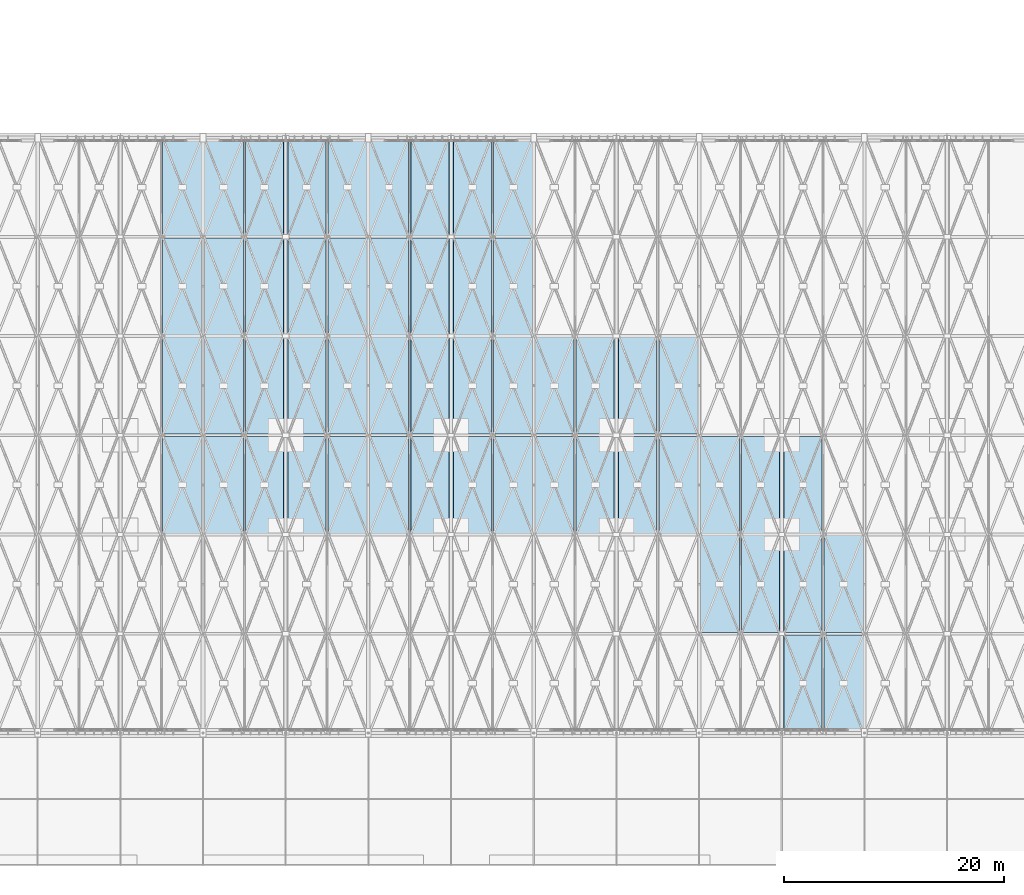
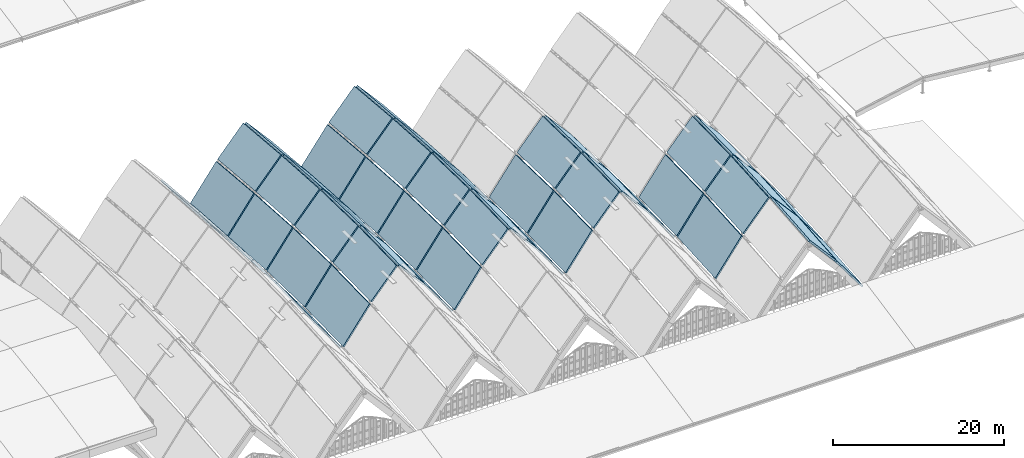
# One storey, part 60 of 93: 53 slabs, 1 element without a shape of its own.
"""IFC4 building model written with IfcOpenShell, lengths in metres."""

from ifc_helpers import new_model, si_unit, direction, frame, origin, place, context, subcontext, project, spatial, polyline, outline, extrude, material, layer, layer_set, type_object, element, aggregate, save


model = new_model("IFC4")

# Units and contexts
model_context = context("Model", 3, precision=1e-05, world=origin(), true_north=direction((0.0, 1.0)))
body_context = subcontext(model_context, "Body", "Model", "MODEL_VIEW")
ifc_project = project(units=[si_unit("LENGTHUNIT", "METRE"), si_unit("AREAUNIT", "SQUARE_METRE"), si_unit("VOLUMEUNIT", "CUBIC_METRE"), si_unit("PLANEANGLEUNIT", "RADIAN"), si_unit("MASSUNIT", "GRAM", prefix="KILO")], contexts=[model_context])

# Site, building, storey
site_placement = place(None, origin())
site = spatial("IfcSite", under=ifc_project, at=site_placement, CompositionType="ELEMENT")
building_placement = place(site_placement, origin())
building = spatial("IfcBuilding", under=site, at=building_placement, Name="Vourika Railside Aquatics Centre", CompositionType="ELEMENT")
storey_placement = place(building_placement, frame((0.0, 0.0, 21.89990234375)))
storey = spatial("IfcBuildingStorey", under=building, at=storey_placement, Name="Roof", CompositionType="ELEMENT", Elevation=21.89990234375)

# Roof, slabs
ifc_material_1 = material(Name="Glulam GL32h", Category="wood")
ifc_layer_1 = layer(ifc_material_1, 0.239990234375, Name="ROOF-VAULT-SYS")
ifc_layer_set_1 = layer_set([ifc_layer_1], Name="Glulam GL32h")
roof_type = type_object("IfcRoofType", Name="ROOF-VAULT-SYS", PredefinedType="BARREL_ROOF", material=ifc_layer_set_1)
roof_placement = place(storey_placement, origin())
roof = element("IfcRoof", 1, at=roof_placement, inside=storey, type_object=roof_type, Name="Pointed Glulam Gridshell Vault Roof Assembly", PredefinedType="BARREL_ROOF")
ifc_material_2 = material(Name="Glulam GL28h", Category="wood")
ifc_layer_2 = layer(ifc_material_2, 0.239990234375, Name="SLB-ROOF-VLT240")
ifc_layer_set_2 = layer_set([ifc_layer_2], Name="Glulam GL28h")
slab_type = type_object("IfcSlabType", Name="SLB-ROOF-VLT240", PredefinedType="ROOF", material=ifc_layer_set_2)
slab_1_placement = place(storey_placement, frame((62.344970703125, 30.094970703125, -4.38916015625), z_axis=(0.805563320848, -0.014116657222, 0.59234150293), x_axis=(0.592400532663, 0.0, -0.80564359918)))
slab_1 = element("IfcSlab", 2, at=slab_1_placement, type_object=slab_type, Name="Bay 2 Pointed Timber Roof Deck Panel 036", PredefinedType="ROOF", context=body_context, shape_type="SweptSolid", body=[
    extrude(outline(polyline([(0.0, 0.0), (6.009546577793309, 0.0), (5.84039289241854, 8.810936559260217), (-0.16915368537476808, 8.810936559260217), (0.0, 0.0)])), origin(), (0.0, 0.0, -1.0), 0.239990234375),
])
slab_2_placement = place(storey_placement, frame((62.344970703125, 39.094970703125, -4.17919921875), z_axis=(0.805563320848, 0.014116657222, 0.59234150293), x_axis=(0.592400532663, 0.0, -0.80564359918)))
slab_2 = element("IfcSlab", 3, at=slab_2_placement, type_object=slab_type, Name="Bay 2 Pointed Timber Roof Deck Panel 040", PredefinedType="ROOF", context=body_context, shape_type="SweptSolid", body=[
    extrude(outline(polyline([(0.0, 0.0), (6.009546577793309, 0.0), (6.178700263168077, 8.810936559260217), (0.16915368537476808, 8.810936559260217), (0.0, 0.0)])), origin(), (0.0, 0.0, -1.0), 0.239990234375),
])
slab_3_placement = place(storey_placement, frame((62.344970703125, 48.094970703125, -4.39794921875), z_axis=(0.805045258731, 0.038533374909, 0.591960564914), x_axis=(0.592400532663, 0.0, -0.80564359918)))
slab_3 = element("IfcSlab", 4, at=slab_3_placement, type_object=slab_type, Name="Bay 2 Pointed Timber Roof Deck Panel 044", PredefinedType="ROOF", context=body_context, shape_type="SweptSolid", body=[
    extrude(outline(polyline([(0.0, 0.0), (6.009546577793309, 0.0), (6.471572167264624, 8.816606566504385), (0.46202558947131417, 8.816606566504385), (0.0, 0.0)])), origin(), (0.0, 0.0, -1.0), 0.239990234375),
])
slab_4_placement = place(storey_placement, frame((62.344970703125, 57.094970703125, -4.98681640625), z_axis=(0.80452801332, 0.05260713157, 0.591580227434), x_axis=(0.592400532663, 0.0, -0.80564359918)))
slab_4 = element("IfcSlab", 5, at=slab_4_placement, type_object=slab_type, Name="Bay 2 Pointed Timber Roof Deck Panel 048", PredefinedType="ROOF", context=body_context, shape_type="SweptSolid", body=[
    extrude(outline(polyline([(0.0, 0.0), (6.009546577793309, 0.0), (6.640725852639392, 8.822274920128496), (0.6311792748460823, 8.822274920128496), (0.0, 0.0)])), origin(), (0.0, 0.0, -1.0), 0.239990234375),
])
slab_5_placement = place(storey_placement, frame((66.094970703125, 30.094970703125, -9.230712890625), z_axis=(-0.805563320848, -0.014116657222, 0.59234150293), x_axis=(0.592400532663, 0.0, 0.80564359918)))
slab_5 = element("IfcSlab", 6, at=slab_5_placement, type_object=slab_type, Name="Bay 3 Pointed Timber Roof Deck Panel 057", PredefinedType="ROOF", context=body_context, shape_type="SweptSolid", body=[
    extrude(outline(polyline([(0.0, 0.0), (6.009546577793309, 0.0), (6.178700263168077, 8.810936559260217), (0.16915368537476808, 8.810936559260217), (0.0, 0.0)])), origin(), (0.0, 0.0, -1.0), 0.239990234375),
])
slab_6_placement = place(storey_placement, frame((69.844970703125, 30.094970703125, -4.15087890625), z_axis=(-0.753556399006, -0.015662282473, 0.657196657345), x_axis=(0.657277279678, 0.0, 0.753648842379)))
slab_6 = element("IfcSlab", 7, at=slab_6_placement, type_object=slab_type, Name="Bay 3 Pointed Timber Roof Deck Panel 058", PredefinedType="ROOF", context=body_context, shape_type="SweptSolid", body=[
    extrude(outline(polyline([(0.0, 0.0), (5.25665230158345, -6.938893903907228e-18), (5.414889119075044, 8.811139377525146), (0.15823681749159377, 8.811139377525146), (0.0, 0.0)])), origin(), (0.0, 0.0, -1.0), 0.239990234375),
])
slab_7_placement = place(storey_placement, frame((73.699951171875, 30.094970703125, -0.189208984375), z_axis=(0.753556399006, -0.015662282473, 0.657196657345), x_axis=(0.657277279678, 0.0, -0.753648842379)))
slab_7 = element("IfcSlab", 8, at=slab_7_placement, type_object=slab_type, Name="Bay 3 Pointed Timber Roof Deck Panel 059", PredefinedType="ROOF", context=body_context, shape_type="SweptSolid", body=[
    extrude(outline(polyline([(0.0, 0.0), (5.25665230158345, 6.938893903907228e-18), (5.098415484091856, 8.811139377525148), (-0.15823681749159377, 8.811139377525146), (0.0, 0.0)])), origin(), (0.0, 0.0, -1.0), 0.239990234375),
])
slab_8_placement = place(storey_placement, frame((77.344970703125, 30.094970703125, -4.38916015625), z_axis=(0.805563320848, -0.014116657222, 0.59234150293), x_axis=(0.592400532663, 0.0, -0.80564359918)))
slab_8 = element("IfcSlab", 9, at=slab_8_placement, type_object=slab_type, Name="Bay 3 Pointed Timber Roof Deck Panel 060", PredefinedType="ROOF", context=body_context, shape_type="SweptSolid", body=[
    extrude(outline(polyline([(0.0, 0.0), (6.009546577793309, 0.0), (5.84039289241854, 8.810936559260217), (-0.16915368537476808, 8.810936559260217), (0.0, 0.0)])), origin(), (0.0, 0.0, -1.0), 0.239990234375),
])
slab_9_placement = place(storey_placement, frame((66.094970703125, 39.094970703125, -9.020751953125), z_axis=(-0.805563320848, 0.014116657222, 0.59234150293), x_axis=(0.592400532663, 0.0, 0.80564359918)))
slab_9 = element("IfcSlab", 10, at=slab_9_placement, type_object=slab_type, Name="Bay 3 Pointed Timber Roof Deck Panel 061", PredefinedType="ROOF", context=body_context, shape_type="SweptSolid", body=[
    extrude(outline(polyline([(0.0, 0.0), (6.009546577793309, 0.0), (5.84039289241854, 8.810936559260217), (-0.16915368537476808, 8.810936559260217), (0.0, 0.0)])), origin(), (0.0, 0.0, -1.0), 0.239990234375),
])
slab_10_placement = place(storey_placement, frame((69.844970703125, 39.094970703125, -3.94091796875), z_axis=(-0.753556399006, 0.015662282473, 0.657196657345), x_axis=(0.657277279678, 0.0, 0.753648842379)))
slab_10 = element("IfcSlab", 11, at=slab_10_placement, type_object=slab_type, Name="Bay 3 Pointed Timber Roof Deck Panel 062", PredefinedType="ROOF", context=body_context, shape_type="SweptSolid", body=[
    extrude(outline(polyline([(0.0, 0.0), (5.25665230158345, 6.938893903907228e-18), (5.098415484091856, 8.811139377525148), (-0.15823681749159377, 8.811139377525146), (0.0, 0.0)])), origin(), (0.0, 0.0, -1.0), 0.239990234375),
])
slab_11_placement = place(storey_placement, frame((73.699951171875, 39.094970703125, 0.020751953125), z_axis=(0.753556399006, 0.015662282473, 0.657196657345), x_axis=(0.657277279678, 0.0, -0.753648842379)))
slab_11 = element("IfcSlab", 12, at=slab_11_placement, type_object=slab_type, Name="Bay 3 Pointed Timber Roof Deck Panel 063", PredefinedType="ROOF", context=body_context, shape_type="SweptSolid", body=[
    extrude(outline(polyline([(0.0, 0.0), (5.25665230158345, -6.938893903907228e-18), (5.414889119075044, 8.811139377525146), (0.15823681749159377, 8.811139377525146), (0.0, 0.0)])), origin(), (0.0, 0.0, -1.0), 0.239990234375),
])
slab_12_placement = place(storey_placement, frame((77.344970703125, 39.094970703125, -4.17919921875), z_axis=(0.805563320848, 0.014116657222, 0.59234150293), x_axis=(0.592400532663, 0.0, -0.80564359918)))
slab_12 = element("IfcSlab", 13, at=slab_12_placement, type_object=slab_type, Name="Bay 3 Pointed Timber Roof Deck Panel 064", PredefinedType="ROOF", context=body_context, shape_type="SweptSolid", body=[
    extrude(outline(polyline([(0.0, 0.0), (6.009546577793309, 0.0), (6.178700263168077, 8.810936559260217), (0.16915368537476808, 8.810936559260217), (0.0, 0.0)])), origin(), (0.0, 0.0, -1.0), 0.239990234375),
])
slab_13_placement = place(storey_placement, frame((66.094970703125, 48.094970703125, -9.239501953125), z_axis=(-0.805045258731, 0.038533374909, 0.591960564914), x_axis=(0.592400532663, 0.0, 0.80564359918)))
slab_13 = element("IfcSlab", 14, at=slab_13_placement, type_object=slab_type, Name="Bay 3 Pointed Timber Roof Deck Panel 065", PredefinedType="ROOF", context=body_context, shape_type="SweptSolid", body=[
    extrude(outline(polyline([(0.0, 0.0), (6.009546577793309, 0.0), (5.5475209883219945, 8.816606566504385), (-0.46202558947131417, 8.816606566504385), (0.0, 0.0)])), origin(), (0.0, 0.0, -1.0), 0.239990234375),
])
slab_14_placement = place(storey_placement, frame((69.844970703125, 48.094970703125, -4.159912109375), z_axis=(-0.752980078638, 0.042744533256, 0.656653566236), x_axis=(0.657254273789, 0.0, 0.753668905811)))
slab_14 = element("IfcSlab", 15, at=slab_14_placement, type_object=slab_type, Name="Bay 3 Pointed Timber Roof Deck Panel 066", PredefinedType="ROOF", context=body_context, shape_type="SweptSolid", body=[
    extrude(outline(polyline([(0.0, 0.0), (5.2568363003320515, 2.7755575615628914e-17), (4.824617486916384, 8.81811804702024), (-0.43221881341566754, 8.81811804702024), (0.0, 0.0)])), origin(), (0.0, 0.0, -1.0), 0.239990234375),
])
slab_15_placement = place(storey_placement, frame((73.699951171875, 48.094970703125, -0.197998046875), z_axis=(0.752980078638, 0.042744533256, 0.656653566236), x_axis=(0.657254273789, 0.0, -0.753668905811)))
slab_15 = element("IfcSlab", 16, at=slab_15_placement, type_object=slab_type, Name="Bay 3 Pointed Timber Roof Deck Panel 067", PredefinedType="ROOF", context=body_context, shape_type="SweptSolid", body=[
    extrude(outline(polyline([(0.0, 0.0), (5.2568363003320515, -2.7755575615628914e-17), (5.6890551137477186, 8.81811804702024), (0.43221881341566754, 8.81811804702024), (0.0, 0.0)])), origin(), (0.0, 0.0, -1.0), 0.239990234375),
])
slab_16_placement = place(storey_placement, frame((77.344970703125, 48.094970703125, -4.39794921875), z_axis=(0.805045258731, 0.038533374909, 0.591960564914), x_axis=(0.592400532663, 0.0, -0.80564359918)))
slab_16 = element("IfcSlab", 17, at=slab_16_placement, type_object=slab_type, Name="Bay 3 Pointed Timber Roof Deck Panel 068", PredefinedType="ROOF", context=body_context, shape_type="SweptSolid", body=[
    extrude(outline(polyline([(0.0, 0.0), (6.009546577793309, 0.0), (6.471572167264624, 8.816606566504385), (0.46202558947131417, 8.816606566504385), (0.0, 0.0)])), origin(), (0.0, 0.0, -1.0), 0.239990234375),
])
slab_17_placement = place(storey_placement, frame((66.094970703125, 57.094970703125, -9.828369140625), z_axis=(-0.80452801332, 0.05260713157, 0.591580227434), x_axis=(0.592400532663, 0.0, 0.80564359918)))
slab_17 = element("IfcSlab", 18, at=slab_17_placement, type_object=slab_type, Name="Bay 3 Pointed Timber Roof Deck Panel 069", PredefinedType="ROOF", context=body_context, shape_type="SweptSolid", body=[
    extrude(outline(polyline([(0.0, 0.0), (6.009546577793309, 0.0), (5.378367302947226, 8.822274920128496), (-0.6311792748460823, 8.822274920128496), (0.0, 0.0)])), origin(), (0.0, 0.0, -1.0), 0.239990234375),
])
slab_18_placement = place(storey_placement, frame((69.844970703125, 57.094970703125, -4.74853515625), z_axis=(-0.752364776824, 0.058349751553, 0.656157411821), x_axis=(0.657277279678, 0.0, 0.753648842379)))
slab_18 = element("IfcSlab", 19, at=slab_18_placement, type_object=slab_type, Name="Bay 3 Pointed Timber Roof Deck Panel 070", PredefinedType="ROOF", context=body_context, shape_type="SweptSolid", body=[
    extrude(outline(polyline([(0.0, 0.0), (5.2566523015834505, 0.0), (4.666208176780515, 8.825094774494449), (-0.5904441248029355, 8.825094774494449), (0.0, 0.0)])), origin(), (0.0, 0.0, -1.0), 0.239990234375),
])
slab_19_placement = place(storey_placement, frame((73.699951171875, 57.094970703125, -0.786865234375), z_axis=(0.752364776824, 0.058349751553, 0.656157411821), x_axis=(0.657277279678, 0.0, -0.753648842379)))
slab_19 = element("IfcSlab", 20, at=slab_19_placement, type_object=slab_type, Name="Bay 3 Pointed Timber Roof Deck Panel 071", PredefinedType="ROOF", context=body_context, shape_type="SweptSolid", body=[
    extrude(outline(polyline([(0.0, 0.0), (5.2566523015834505, 0.0), (5.847096426386386, 8.825094774494447), (0.5904441248029355, 8.825094774494449), (0.0, 0.0)])), origin(), (0.0, 0.0, -1.0), 0.239990234375),
])
slab_20_placement = place(storey_placement, frame((77.344970703125, 57.094970703125, -4.98681640625), z_axis=(0.80452801332, 0.05260713157, 0.591580227434), x_axis=(0.592400532663, 0.0, -0.80564359918)))
slab_20 = element("IfcSlab", 21, at=slab_20_placement, type_object=slab_type, Name="Bay 3 Pointed Timber Roof Deck Panel 072", PredefinedType="ROOF", context=body_context, shape_type="SweptSolid", body=[
    extrude(outline(polyline([(0.0, 0.0), (6.009546577793309, 0.0), (6.640725852639392, 8.822274920128496), (0.6311792748460823, 8.822274920128496), (0.0, 0.0)])), origin(), (0.0, 0.0, -1.0), 0.239990234375),
])
slab_21_placement = place(storey_placement, frame((81.094970703125, 30.094970703125, -9.230712890625), z_axis=(-0.805563320848, -0.014116657222, 0.59234150293), x_axis=(0.592400532663, 0.0, 0.80564359918)))
slab_21 = element("IfcSlab", 22, at=slab_21_placement, type_object=slab_type, Name="Bay 4 Pointed Timber Roof Deck Panel 081", PredefinedType="ROOF", context=body_context, shape_type="SweptSolid", body=[
    extrude(outline(polyline([(0.0, 0.0), (6.009546577793309, 0.0), (6.178700263168077, 8.810936559260217), (0.16915368537476808, 8.810936559260217), (0.0, 0.0)])), origin(), (0.0, 0.0, -1.0), 0.239990234375),
])
slab_22_placement = place(storey_placement, frame((84.844970703125, 30.094970703125, -4.15087890625), z_axis=(-0.753556399006, -0.015662282473, 0.657196657345), x_axis=(0.657277279678, 0.0, 0.753648842379)))
slab_22 = element("IfcSlab", 23, at=slab_22_placement, type_object=slab_type, Name="Bay 4 Pointed Timber Roof Deck Panel 082", PredefinedType="ROOF", context=body_context, shape_type="SweptSolid", body=[
    extrude(outline(polyline([(0.0, 0.0), (5.25665230158345, -6.938893903907228e-18), (5.414889119075044, 8.811139377525146), (0.15823681749159377, 8.811139377525146), (0.0, 0.0)])), origin(), (0.0, 0.0, -1.0), 0.239990234375),
])
slab_23_placement = place(storey_placement, frame((88.699951171875, 30.094970703125, -0.189208984375), z_axis=(0.753556399006, -0.015662282473, 0.657196657345), x_axis=(0.657277279678, 0.0, -0.753648842379)))
slab_23 = element("IfcSlab", 24, at=slab_23_placement, type_object=slab_type, Name="Bay 4 Pointed Timber Roof Deck Panel 083", PredefinedType="ROOF", context=body_context, shape_type="SweptSolid", body=[
    extrude(outline(polyline([(0.0, 0.0), (5.25665230158345, 6.938893903907228e-18), (5.098415484091856, 8.811139377525148), (-0.15823681749159377, 8.811139377525146), (0.0, 0.0)])), origin(), (0.0, 0.0, -1.0), 0.239990234375),
])
slab_24_placement = place(storey_placement, frame((92.344970703125, 30.094970703125, -4.38916015625), z_axis=(0.805563320848, -0.014116657222, 0.59234150293), x_axis=(0.592400532663, 0.0, -0.80564359918)))
slab_24 = element("IfcSlab", 25, at=slab_24_placement, type_object=slab_type, Name="Bay 4 Pointed Timber Roof Deck Panel 084", PredefinedType="ROOF", context=body_context, shape_type="SweptSolid", body=[
    extrude(outline(polyline([(0.0, 0.0), (6.009546577793309, 0.0), (5.84039289241854, 8.810936559260217), (-0.16915368537476808, 8.810936559260217), (0.0, 0.0)])), origin(), (0.0, 0.0, -1.0), 0.239990234375),
])
slab_25_placement = place(storey_placement, frame((81.094970703125, 39.094970703125, -9.020751953125), z_axis=(-0.805563320848, 0.014116657222, 0.59234150293), x_axis=(0.592400532663, 0.0, 0.80564359918)))
slab_25 = element("IfcSlab", 26, at=slab_25_placement, type_object=slab_type, Name="Bay 4 Pointed Timber Roof Deck Panel 085", PredefinedType="ROOF", context=body_context, shape_type="SweptSolid", body=[
    extrude(outline(polyline([(0.0, 0.0), (6.009546577793309, 0.0), (5.84039289241854, 8.810936559260217), (-0.16915368537476808, 8.810936559260217), (0.0, 0.0)])), origin(), (0.0, 0.0, -1.0), 0.239990234375),
])
slab_26_placement = place(storey_placement, frame((84.844970703125, 39.094970703125, -3.94091796875), z_axis=(-0.753556399006, 0.015662282473, 0.657196657345), x_axis=(0.657277279678, 0.0, 0.753648842379)))
slab_26 = element("IfcSlab", 27, at=slab_26_placement, type_object=slab_type, Name="Bay 4 Pointed Timber Roof Deck Panel 086", PredefinedType="ROOF", context=body_context, shape_type="SweptSolid", body=[
    extrude(outline(polyline([(0.0, 0.0), (5.25665230158345, 6.938893903907228e-18), (5.098415484091856, 8.811139377525148), (-0.15823681749159377, 8.811139377525146), (0.0, 0.0)])), origin(), (0.0, 0.0, -1.0), 0.239990234375),
])
slab_27_placement = place(storey_placement, frame((88.699951171875, 39.094970703125, 0.020751953125), z_axis=(0.753556399006, 0.015662282473, 0.657196657345), x_axis=(0.657277279678, 0.0, -0.753648842379)))
slab_27 = element("IfcSlab", 28, at=slab_27_placement, type_object=slab_type, Name="Bay 4 Pointed Timber Roof Deck Panel 087", PredefinedType="ROOF", context=body_context, shape_type="SweptSolid", body=[
    extrude(outline(polyline([(0.0, 0.0), (5.25665230158345, -6.938893903907228e-18), (5.414889119075044, 8.811139377525146), (0.15823681749159377, 8.811139377525146), (0.0, 0.0)])), origin(), (0.0, 0.0, -1.0), 0.239990234375),
])
slab_28_placement = place(storey_placement, frame((92.344970703125, 39.094970703125, -4.17919921875), z_axis=(0.805563320848, 0.014116657222, 0.59234150293), x_axis=(0.592400532663, 0.0, -0.80564359918)))
slab_28 = element("IfcSlab", 29, at=slab_28_placement, type_object=slab_type, Name="Bay 4 Pointed Timber Roof Deck Panel 088", PredefinedType="ROOF", context=body_context, shape_type="SweptSolid", body=[
    extrude(outline(polyline([(0.0, 0.0), (6.009546577793309, 0.0), (6.178700263168077, 8.810936559260217), (0.16915368537476808, 8.810936559260217), (0.0, 0.0)])), origin(), (0.0, 0.0, -1.0), 0.239990234375),
])
slab_29_placement = place(storey_placement, frame((81.094970703125, 48.094970703125, -9.239501953125), z_axis=(-0.805045258731, 0.038533374909, 0.591960564914), x_axis=(0.592400532663, 0.0, 0.80564359918)))
slab_29 = element("IfcSlab", 30, at=slab_29_placement, type_object=slab_type, Name="Bay 4 Pointed Timber Roof Deck Panel 089", PredefinedType="ROOF", context=body_context, shape_type="SweptSolid", body=[
    extrude(outline(polyline([(0.0, 0.0), (6.009546577793309, 0.0), (5.5475209883219945, 8.816606566504385), (-0.46202558947131417, 8.816606566504385), (0.0, 0.0)])), origin(), (0.0, 0.0, -1.0), 0.239990234375),
])
slab_30_placement = place(storey_placement, frame((84.844970703125, 48.094970703125, -4.159912109375), z_axis=(-0.752980078638, 0.042744533256, 0.656653566236), x_axis=(0.657254273789, 0.0, 0.753668905811)))
slab_30 = element("IfcSlab", 31, at=slab_30_placement, type_object=slab_type, Name="Bay 4 Pointed Timber Roof Deck Panel 090", PredefinedType="ROOF", context=body_context, shape_type="SweptSolid", body=[
    extrude(outline(polyline([(0.0, 0.0), (5.2568363003320515, 2.7755575615628914e-17), (4.824617486916384, 8.81811804702024), (-0.43221881341566754, 8.81811804702024), (0.0, 0.0)])), origin(), (0.0, 0.0, -1.0), 0.239990234375),
])
slab_31_placement = place(storey_placement, frame((88.699951171875, 48.094970703125, -0.197998046875), z_axis=(0.752980078638, 0.042744533256, 0.656653566236), x_axis=(0.657254273789, 0.0, -0.753668905811)))
slab_31 = element("IfcSlab", 32, at=slab_31_placement, type_object=slab_type, Name="Bay 4 Pointed Timber Roof Deck Panel 091", PredefinedType="ROOF", context=body_context, shape_type="SweptSolid", body=[
    extrude(outline(polyline([(0.0, 0.0), (5.2568363003320515, -2.7755575615628914e-17), (5.6890551137477186, 8.81811804702024), (0.43221881341566754, 8.81811804702024), (0.0, 0.0)])), origin(), (0.0, 0.0, -1.0), 0.239990234375),
])
slab_32_placement = place(storey_placement, frame((92.344970703125, 48.094970703125, -4.39794921875), z_axis=(0.805045258731, 0.038533374909, 0.591960564914), x_axis=(0.592400532663, 0.0, -0.80564359918)))
slab_32 = element("IfcSlab", 33, at=slab_32_placement, type_object=slab_type, Name="Bay 4 Pointed Timber Roof Deck Panel 092", PredefinedType="ROOF", context=body_context, shape_type="SweptSolid", body=[
    extrude(outline(polyline([(0.0, 0.0), (6.009546577793309, 0.0), (6.471572167264624, 8.816606566504385), (0.46202558947131417, 8.816606566504385), (0.0, 0.0)])), origin(), (0.0, 0.0, -1.0), 0.239990234375),
])
slab_33_placement = place(storey_placement, frame((81.094970703125, 57.094970703125, -9.828369140625), z_axis=(-0.80452801332, 0.05260713157, 0.591580227434), x_axis=(0.592400532663, 0.0, 0.80564359918)))
slab_33 = element("IfcSlab", 34, at=slab_33_placement, type_object=slab_type, Name="Bay 4 Pointed Timber Roof Deck Panel 093", PredefinedType="ROOF", context=body_context, shape_type="SweptSolid", body=[
    extrude(outline(polyline([(0.0, 0.0), (6.009546577793309, 0.0), (5.378367302947226, 8.822274920128496), (-0.6311792748460823, 8.822274920128496), (0.0, 0.0)])), origin(), (0.0, 0.0, -1.0), 0.239990234375),
])
slab_34_placement = place(storey_placement, frame((84.844970703125, 57.094970703125, -4.74853515625), z_axis=(-0.752364776824, 0.058349751553, 0.656157411821), x_axis=(0.657277279678, 0.0, 0.753648842379)))
slab_34 = element("IfcSlab", 35, at=slab_34_placement, type_object=slab_type, Name="Bay 4 Pointed Timber Roof Deck Panel 094", PredefinedType="ROOF", context=body_context, shape_type="SweptSolid", body=[
    extrude(outline(polyline([(0.0, 0.0), (5.2566523015834505, 0.0), (4.666208176780515, 8.825094774494449), (-0.5904441248029355, 8.825094774494449), (0.0, 0.0)])), origin(), (0.0, 0.0, -1.0), 0.239990234375),
])
slab_35_placement = place(storey_placement, frame((88.699951171875, 57.094970703125, -0.786865234375), z_axis=(0.752364776824, 0.058349751553, 0.656157411821), x_axis=(0.657277279678, 0.0, -0.753648842379)))
slab_35 = element("IfcSlab", 36, at=slab_35_placement, type_object=slab_type, Name="Bay 4 Pointed Timber Roof Deck Panel 095", PredefinedType="ROOF", context=body_context, shape_type="SweptSolid", body=[
    extrude(outline(polyline([(0.0, 0.0), (5.2566523015834505, 0.0), (5.847096426386386, 8.825094774494447), (0.5904441248029355, 8.825094774494449), (0.0, 0.0)])), origin(), (0.0, 0.0, -1.0), 0.239990234375),
])
slab_36_placement = place(storey_placement, frame((92.344970703125, 57.094970703125, -4.98681640625), z_axis=(0.80452801332, 0.05260713157, 0.591580227434), x_axis=(0.592400532663, 0.0, -0.80564359918)))
slab_36 = element("IfcSlab", 37, at=slab_36_placement, type_object=slab_type, Name="Bay 4 Pointed Timber Roof Deck Panel 096", PredefinedType="ROOF", context=body_context, shape_type="SweptSolid", body=[
    extrude(outline(polyline([(0.0, 0.0), (6.009546577793309, 0.0), (6.640725852639392, 8.822274920128496), (0.6311792748460823, 8.822274920128496), (0.0, 0.0)])), origin(), (0.0, 0.0, -1.0), 0.239990234375),
])
slab_37_placement = place(storey_placement, frame((96.094970703125, 30.094970703125, -9.230712890625), z_axis=(-0.805563320848, -0.014116657222, 0.59234150293), x_axis=(0.592400532663, 0.0, 0.80564359918)))
slab_37 = element("IfcSlab", 38, at=slab_37_placement, type_object=slab_type, Name="Bay 5 Pointed Timber Roof Deck Panel 105", PredefinedType="ROOF", context=body_context, shape_type="SweptSolid", body=[
    extrude(outline(polyline([(0.0, 0.0), (6.009546577793309, 0.0), (6.178700263168077, 8.810936559260217), (0.16915368537476808, 8.810936559260217), (0.0, 0.0)])), origin(), (0.0, 0.0, -1.0), 0.239990234375),
])
slab_38_placement = place(storey_placement, frame((99.844970703125, 30.094970703125, -4.15087890625), z_axis=(-0.753556399006, -0.015662282473, 0.657196657345), x_axis=(0.657277279678, 0.0, 0.753648842379)))
slab_38 = element("IfcSlab", 39, at=slab_38_placement, type_object=slab_type, Name="Bay 5 Pointed Timber Roof Deck Panel 106", PredefinedType="ROOF", context=body_context, shape_type="SweptSolid", body=[
    extrude(outline(polyline([(0.0, 0.0), (5.25665230158345, -6.938893903907228e-18), (5.414889119075044, 8.811139377525146), (0.15823681749159377, 8.811139377525146), (0.0, 0.0)])), origin(), (0.0, 0.0, -1.0), 0.239990234375),
])
slab_39_placement = place(storey_placement, frame((103.699951171875, 30.094970703125, -0.189208984375), z_axis=(0.753556399006, -0.015662282473, 0.657196657345), x_axis=(0.657277279678, 0.0, -0.753648842379)))
slab_39 = element("IfcSlab", 40, at=slab_39_placement, type_object=slab_type, Name="Bay 5 Pointed Timber Roof Deck Panel 107", PredefinedType="ROOF", context=body_context, shape_type="SweptSolid", body=[
    extrude(outline(polyline([(0.0, 0.0), (5.25665230158345, 6.938893903907228e-18), (5.098415484091856, 8.811139377525148), (-0.15823681749159377, 8.811139377525146), (0.0, 0.0)])), origin(), (0.0, 0.0, -1.0), 0.239990234375),
])
slab_40_placement = place(storey_placement, frame((107.344970703125, 30.094970703125, -4.38916015625), z_axis=(0.805563320848, -0.014116657222, 0.59234150293), x_axis=(0.592400532663, 0.0, -0.80564359918)))
slab_40 = element("IfcSlab", 41, at=slab_40_placement, type_object=slab_type, Name="Bay 5 Pointed Timber Roof Deck Panel 108", PredefinedType="ROOF", context=body_context, shape_type="SweptSolid", body=[
    extrude(outline(polyline([(0.0, 0.0), (6.009546577793309, 0.0), (5.84039289241854, 8.810936559260217), (-0.16915368537476808, 8.810936559260217), (0.0, 0.0)])), origin(), (0.0, 0.0, -1.0), 0.239990234375),
])
slab_41_placement = place(storey_placement, frame((96.094970703125, 39.094970703125, -9.020751953125), z_axis=(-0.805563320848, 0.014116657222, 0.59234150293), x_axis=(0.592400532663, 0.0, 0.80564359918)))
slab_41 = element("IfcSlab", 42, at=slab_41_placement, type_object=slab_type, Name="Bay 5 Pointed Timber Roof Deck Panel 109", PredefinedType="ROOF", context=body_context, shape_type="SweptSolid", body=[
    extrude(outline(polyline([(0.0, 0.0), (6.009546577793309, 0.0), (5.84039289241854, 8.810936559260217), (-0.16915368537476808, 8.810936559260217), (0.0, 0.0)])), origin(), (0.0, 0.0, -1.0), 0.239990234375),
])
slab_42_placement = place(storey_placement, frame((99.844970703125, 39.094970703125, -3.94091796875), z_axis=(-0.753556399006, 0.015662282473, 0.657196657345), x_axis=(0.657277279678, 0.0, 0.753648842379)))
slab_42 = element("IfcSlab", 43, at=slab_42_placement, type_object=slab_type, Name="Bay 5 Pointed Timber Roof Deck Panel 110", PredefinedType="ROOF", context=body_context, shape_type="SweptSolid", body=[
    extrude(outline(polyline([(0.0, 0.0), (5.25665230158345, 6.938893903907228e-18), (5.098415484091856, 8.811139377525148), (-0.15823681749159377, 8.811139377525146), (0.0, 0.0)])), origin(), (0.0, 0.0, -1.0), 0.239990234375),
])
slab_43_placement = place(storey_placement, frame((103.699951171875, 39.094970703125, 0.020751953125), z_axis=(0.753556399006, 0.015662282473, 0.657196657345), x_axis=(0.657277279678, 0.0, -0.753648842379)))
slab_43 = element("IfcSlab", 44, at=slab_43_placement, type_object=slab_type, Name="Bay 5 Pointed Timber Roof Deck Panel 111", PredefinedType="ROOF", context=body_context, shape_type="SweptSolid", body=[
    extrude(outline(polyline([(0.0, 0.0), (5.25665230158345, -6.938893903907228e-18), (5.414889119075044, 8.811139377525146), (0.15823681749159377, 8.811139377525146), (0.0, 0.0)])), origin(), (0.0, 0.0, -1.0), 0.239990234375),
])
slab_44_placement = place(storey_placement, frame((107.344970703125, 39.094970703125, -4.17919921875), z_axis=(0.805563320848, 0.014116657222, 0.59234150293), x_axis=(0.592400532663, 0.0, -0.80564359918)))
slab_44 = element("IfcSlab", 45, at=slab_44_placement, type_object=slab_type, Name="Bay 5 Pointed Timber Roof Deck Panel 112", PredefinedType="ROOF", context=body_context, shape_type="SweptSolid", body=[
    extrude(outline(polyline([(0.0, 0.0), (6.009546577793309, 0.0), (6.178700263168077, 8.810936559260217), (0.16915368537476808, 8.810936559260217), (0.0, 0.0)])), origin(), (0.0, 0.0, -1.0), 0.239990234375),
])
slab_45_placement = place(storey_placement, frame((118.699951171875, 12.094970703125, -1.5703125), z_axis=(0.752364776824, -0.058349751553, 0.656157411821), x_axis=(0.657277279678, 0.0, -0.753648842379)))
slab_45 = element("IfcSlab", 46, at=slab_45_placement, type_object=slab_type, Name="Bay 6 Pointed Timber Roof Deck Panel 123", PredefinedType="ROOF", context=body_context, shape_type="SweptSolid", body=[
    extrude(outline(polyline([(0.0, 0.0), (5.2566523015834505, 0.0), (4.666208176780515, 8.825094774494449), (-0.5904441248029355, 8.825094774494449), (0.0, 0.0)])), origin(), (0.0, 0.0, -1.0), 0.239990234375),
])
slab_46_placement = place(storey_placement, frame((122.344970703125, 12.094970703125, -5.770263671875), z_axis=(0.80452801332, -0.05260713157, 0.591580227434), x_axis=(0.592400532663, 0.0, -0.80564359918)))
slab_46 = element("IfcSlab", 47, at=slab_46_placement, type_object=slab_type, Name="Bay 6 Pointed Timber Roof Deck Panel 124", PredefinedType="ROOF", context=body_context, shape_type="SweptSolid", body=[
    extrude(outline(polyline([(0.0, 0.0), (6.009546577793309, 0.0), (5.378367302947226, 8.822274920128496), (-0.6311792748460823, 8.822274920128496), (0.0, 0.0)])), origin(), (0.0, 0.0, -1.0), 0.239990234375),
])
slab_47_placement = place(storey_placement, frame((111.094970703125, 21.094970703125, -9.81298828125), z_axis=(-0.805045258731, -0.038533374909, 0.591960564914), x_axis=(0.592400532663, 0.0, 0.80564359918)))
slab_47 = element("IfcSlab", 48, at=slab_47_placement, type_object=slab_type, Name="Bay 6 Pointed Timber Roof Deck Panel 125", PredefinedType="ROOF", context=body_context, shape_type="SweptSolid", body=[
    extrude(outline(polyline([(0.0, 0.0), (6.009546577793309, 0.0), (6.471572167264624, 8.816606566504385), (0.46202558947131417, 8.816606566504385), (0.0, 0.0)])), origin(), (0.0, 0.0, -1.0), 0.239990234375),
])
slab_48_placement = place(storey_placement, frame((114.844970703125, 21.094970703125, -4.7333984375), z_axis=(-0.752980078638, -0.042744533256, 0.656653566236), x_axis=(0.657254273789, 0.0, 0.753668905811)))
slab_48 = element("IfcSlab", 49, at=slab_48_placement, type_object=slab_type, Name="Bay 6 Pointed Timber Roof Deck Panel 126", PredefinedType="ROOF", context=body_context, shape_type="SweptSolid", body=[
    extrude(outline(polyline([(0.0, 0.0), (5.2568363003320515, -2.7755575615628914e-17), (5.6890551137477186, 8.81811804702024), (0.43221881341566754, 8.81811804702024), (0.0, 0.0)])), origin(), (0.0, 0.0, -1.0), 0.239990234375),
])
slab_49_placement = place(storey_placement, frame((118.699951171875, 21.094970703125, -0.771484375), z_axis=(0.752980078638, -0.042744533256, 0.656653566236), x_axis=(0.657254273789, 0.0, -0.753668905811)))
slab_49 = element("IfcSlab", 50, at=slab_49_placement, type_object=slab_type, Name="Bay 6 Pointed Timber Roof Deck Panel 127", PredefinedType="ROOF", context=body_context, shape_type="SweptSolid", body=[
    extrude(outline(polyline([(0.0, 0.0), (5.2568363003320515, 2.7755575615628914e-17), (4.824617486916384, 8.81811804702024), (-0.43221881341566754, 8.81811804702024), (0.0, 0.0)])), origin(), (0.0, 0.0, -1.0), 0.239990234375),
])
slab_50_placement = place(storey_placement, frame((122.344970703125, 21.094970703125, -4.971435546875), z_axis=(0.805045258731, -0.038533374909, 0.591960564914), x_axis=(0.592400532663, 0.0, -0.80564359918)))
slab_50 = element("IfcSlab", 51, at=slab_50_placement, type_object=slab_type, Name="Bay 6 Pointed Timber Roof Deck Panel 128", PredefinedType="ROOF", context=body_context, shape_type="SweptSolid", body=[
    extrude(outline(polyline([(0.0, 0.0), (6.009546577793309, 0.0), (5.5475209883219945, 8.816606566504385), (-0.46202558947131417, 8.816606566504385), (0.0, 0.0)])), origin(), (0.0, 0.0, -1.0), 0.239990234375),
])
slab_51_placement = place(storey_placement, frame((111.094970703125, 30.094970703125, -9.230712890625), z_axis=(-0.805563320848, -0.014116657222, 0.59234150293), x_axis=(0.592400532663, 0.0, 0.80564359918)))
slab_51 = element("IfcSlab", 52, at=slab_51_placement, type_object=slab_type, Name="Bay 6 Pointed Timber Roof Deck Panel 129", PredefinedType="ROOF", context=body_context, shape_type="SweptSolid", body=[
    extrude(outline(polyline([(0.0, 0.0), (6.009546577793309, 0.0), (6.178700263168077, 8.810936559260217), (0.16915368537476808, 8.810936559260217), (0.0, 0.0)])), origin(), (0.0, 0.0, -1.0), 0.239990234375),
])
slab_52_placement = place(storey_placement, frame((114.844970703125, 30.094970703125, -4.15087890625), z_axis=(-0.753556399006, -0.015662282473, 0.657196657345), x_axis=(0.657277279678, 0.0, 0.753648842379)))
slab_52 = element("IfcSlab", 53, at=slab_52_placement, type_object=slab_type, Name="Bay 6 Pointed Timber Roof Deck Panel 130", PredefinedType="ROOF", context=body_context, shape_type="SweptSolid", body=[
    extrude(outline(polyline([(0.0, 0.0), (5.25665230158345, -6.938893903907228e-18), (5.414889119075044, 8.811139377525146), (0.15823681749159377, 8.811139377525146), (0.0, 0.0)])), origin(), (0.0, 0.0, -1.0), 0.239990234375),
])
slab_53_placement = place(storey_placement, frame((118.699951171875, 30.094970703125, -0.189208984375), z_axis=(0.753556399006, -0.015662282473, 0.657196657345), x_axis=(0.657277279678, 0.0, -0.753648842379)))
slab_53 = element("IfcSlab", 54, at=slab_53_placement, type_object=slab_type, Name="Bay 6 Pointed Timber Roof Deck Panel 131", PredefinedType="ROOF", context=body_context, shape_type="SweptSolid", body=[
    extrude(outline(polyline([(0.0, 0.0), (5.25665230158345, 6.938893903907228e-18), (5.098415484091856, 8.811139377525148), (-0.15823681749159377, 8.811139377525146), (0.0, 0.0)])), origin(), (0.0, 0.0, -1.0), 0.239990234375),
])
aggregate(roof, [slab_1, slab_2, slab_3, slab_4, slab_5, slab_6, slab_7, slab_8, slab_9, slab_10, slab_11, slab_12, slab_13, slab_14, slab_15, slab_16, slab_17, slab_18, slab_19, slab_20, slab_21, slab_22, slab_23, slab_24, slab_25, slab_26, slab_27, slab_28, slab_29, slab_30, slab_31, slab_32, slab_33, slab_34, slab_35, slab_36, slab_37, slab_38, slab_39, slab_40, slab_41, slab_42, slab_43, slab_44, slab_45, slab_46, slab_47, slab_48, slab_49, slab_50, slab_51, slab_52, slab_53])

save(model, "model.ifc")
